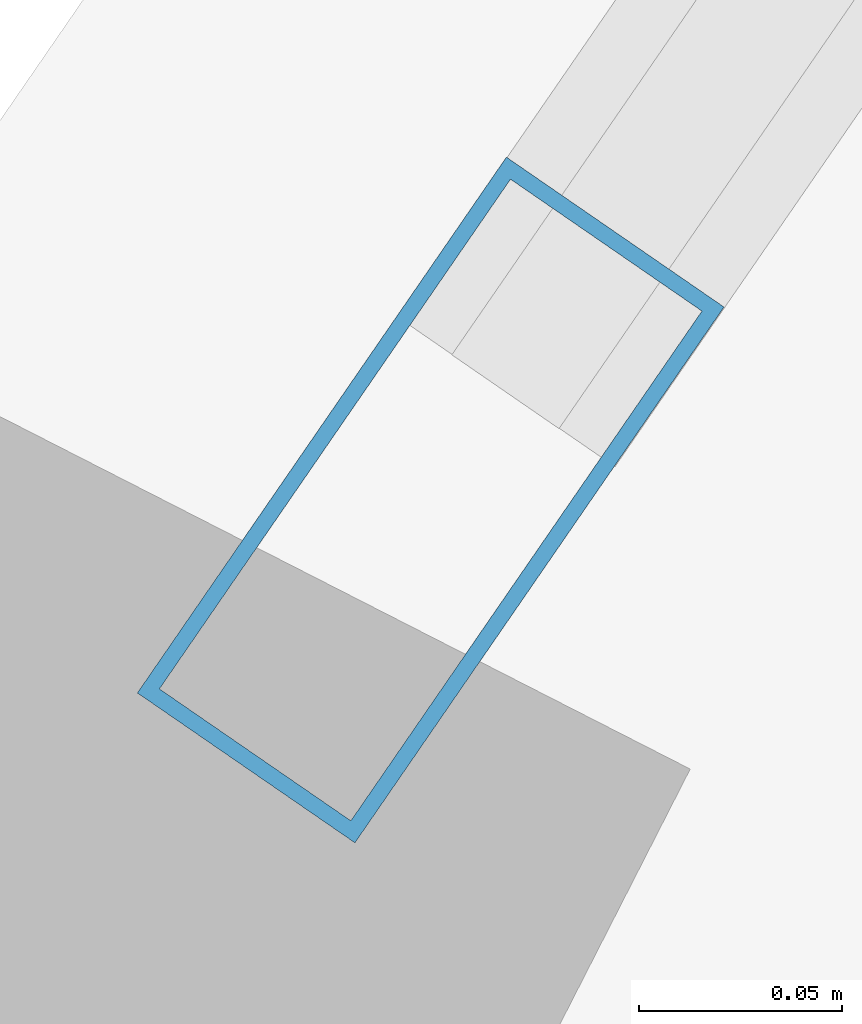
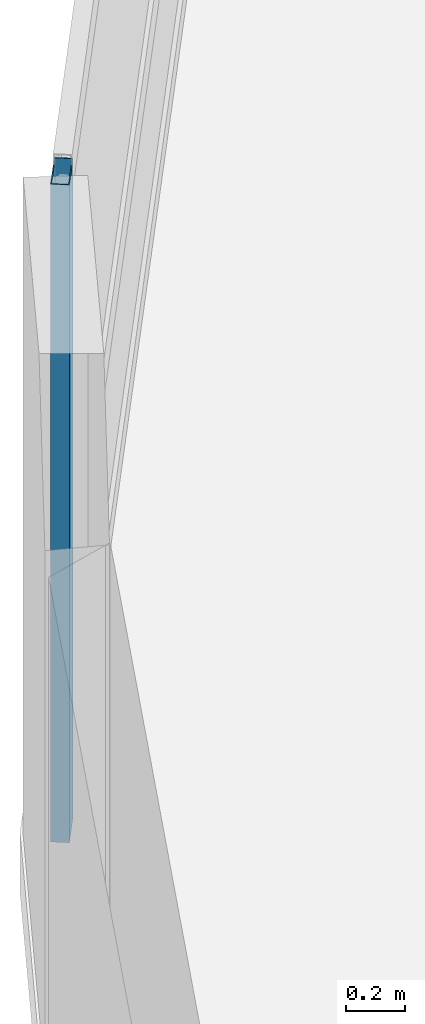
# One storey, part 2 of 24: 1 member, 1 element without a shape of its own.
"""IFC4 building model written with IfcOpenShell, lengths in metres."""

from ifc_helpers import new_model, si_unit, direction, frame, origin, origin_2d, place, context, subcontext, project, spatial, hollow_rectangle, extrude, material, layer, layer_set, material_profile, profile_set, type_object, element, aggregate, save


model = new_model("IFC4")

# Units and contexts
model_context = context("Model", 3, precision=1e-05, world=origin(), true_north=direction((0.0, 1.0)))
body_context = subcontext(model_context, "Body", "Model", "MODEL_VIEW")
ifc_project = project(units=[si_unit("LENGTHUNIT", "METRE"), si_unit("AREAUNIT", "SQUARE_METRE"), si_unit("VOLUMEUNIT", "CUBIC_METRE"), si_unit("PLANEANGLEUNIT", "RADIAN"), si_unit("MASSUNIT", "GRAM", prefix="KILO")], contexts=[model_context])

# Site, building, storey
site_placement = place(None, origin())
site = spatial("IfcSite", under=ifc_project, at=site_placement, CompositionType="ELEMENT")
building_placement = place(site_placement, origin())
building = spatial("IfcBuilding", under=site, at=building_placement, Name="Varnelok Gate Tower", CompositionType="ELEMENT")
storey_placement = place(building_placement, frame((0.0, 0.0, 38.10009765625)))
storey = spatial("IfcBuildingStorey", under=building, at=storey_placement, Name="L08", CompositionType="ELEMENT", Elevation=38.10009765625)

# Curtain wall, member
ifc_material = material(Name="Anodized Aluminum Alloy 6063-T6", Category="aluminium")
ifc_layer = layer(ifc_material, 0.179931640625)
ifc_layer_set = layer_set([ifc_layer], Name="Anodized Aluminum Alloy 6063-T6")
curtain_wall_type = type_object("IfcCurtainWallType", Name="CW3-HOTEL-VISION", PredefinedType="USERDEFINED", material=ifc_layer_set)
curtain_wall_placement = place(storey_placement, origin())
curtain_wall = element("IfcCurtainWall", 1, at=curtain_wall_placement, inside=storey, type_object=curtain_wall_type, Name="L08 West End Vision Curtain Wall", ObjectType="UNITISED CURTAIN WALL", PredefinedType="USERDEFINED")
ifc_material_profile = material_profile(ifc_material, hollow_rectangle(XDim=0.06494140625, YDim=0.159912109375, WallThickness=0.00390625, at=origin_2d()), Name="ALU160X65X4")
ifc_profile_set = profile_set([ifc_material_profile], Name="Anodized Aluminum Alloy 6063-T6")
member_type = type_object("IfcMemberType", Name="CW-MULL-160", PredefinedType="MULLION", material=ifc_profile_set)
member_placement = place(storey_placement, frame((-4.1240234375, 31.2607421875, 0.0), z_axis=(0.0, 0.0, 1.0), x_axis=(-0.823532685111, 0.567268822124, 0.0)))
member = element("IfcMember", 2, at=member_placement, type_object=member_type, Name="CW3 mullion 1", PredefinedType="MULLION", context=body_context, shape_type="SweptSolid", body=[
    extrude(hollow_rectangle(XDim=0.06494140625, YDim=0.159912109375, WallThickness=0.00390625, at=origin_2d()), origin(), (0.0, 0.0, 1.0), 2.72998046875),
])
aggregate(curtain_wall, [member])

save(model, "model.ifc")
